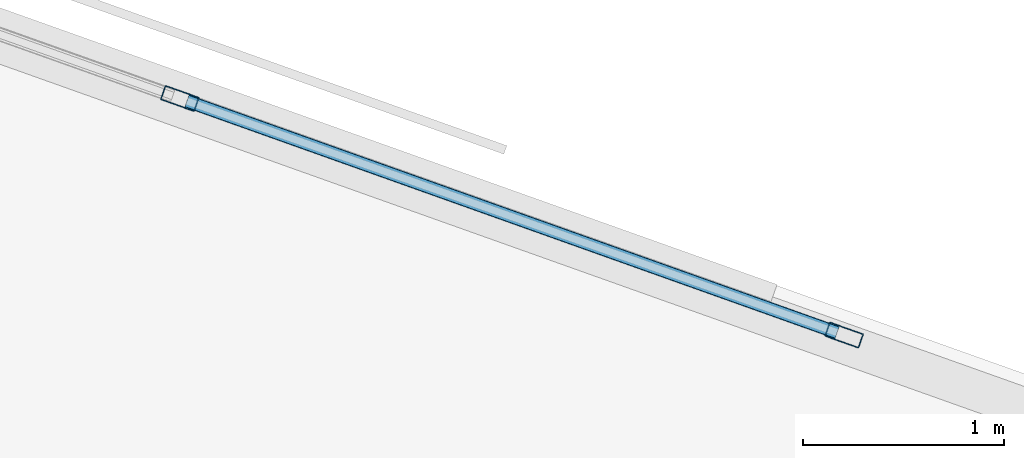
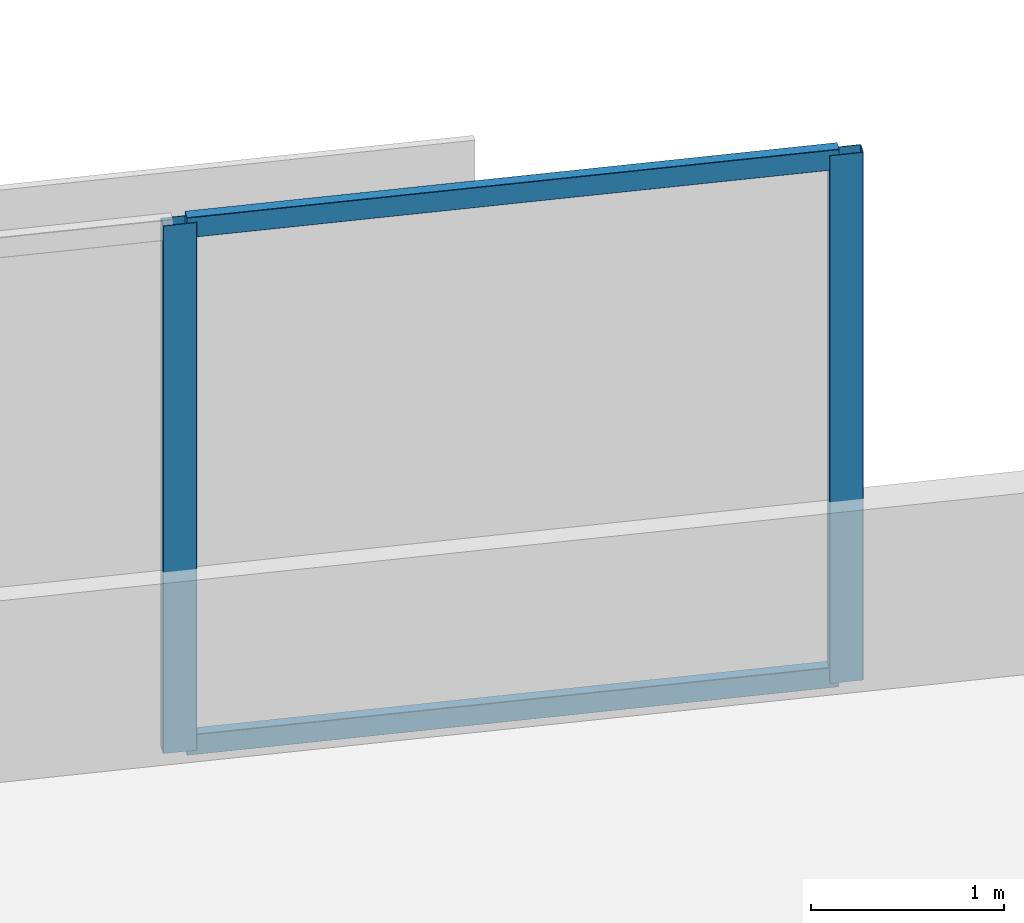
# One storey, part 2 of 16: 4 members, 1 element without a shape of its own.
"""IFC4 building model written with IfcOpenShell, lengths in metres."""

from ifc_helpers import new_model, si_unit, direction, frame, origin, origin_2d, place, context, subcontext, project, spatial, hollow_rectangle, extrude, material, material_profile, profile_set, type_object, element, aggregate, save


model = new_model("IFC4")

# Units and contexts
model_context = context("Model", 3, precision=1e-05, world=origin(), true_north=direction((0.0, 1.0)))
body_context = subcontext(model_context, "Body", "Model", "MODEL_VIEW")
ifc_project = project(units=[si_unit("LENGTHUNIT", "METRE"), si_unit("AREAUNIT", "SQUARE_METRE"), si_unit("VOLUMEUNIT", "CUBIC_METRE"), si_unit("PLANEANGLEUNIT", "RADIAN"), si_unit("MASSUNIT", "GRAM", prefix="KILO")], contexts=[model_context])

# Site, building, storey
site_placement = place(None, origin())
site = spatial("IfcSite", under=ifc_project, at=site_placement, CompositionType="ELEMENT")
building_placement = place(site_placement, origin())
building = spatial("IfcBuilding", under=site, at=building_placement, Name="Narakoshi Arena Tower", CompositionType="ELEMENT")
storey_placement = place(building_placement, frame((0.0, 0.0, 132.300048828125)))
storey = spatial("IfcBuildingStorey", under=building, at=storey_placement, Name="L35", CompositionType="ELEMENT", Elevation=132.300048828125)

# Curtain wall, members
ifc_material = material(Name="Anodised bronze aluminium 6063-T6", Category="aluminium")
curtain_wall_type = type_object("IfcCurtainWallType", Name="CW-HYP-MID", PredefinedType="NOTDEFINED", material=ifc_material)
curtain_wall_placement = place(storey_placement, origin())
curtain_wall = element("IfcCurtainWall", 1, at=curtain_wall_placement, inside=storey, type_object=curtain_wall_type, Name="L35 Folded Hypotenuse Curtain Wall 2-1", PredefinedType="NOTDEFINED")
ifc_material_profile_1 = material_profile(ifc_material, hollow_rectangle(XDim=0.074951171875, YDim=0.179931640625, WallThickness=0.00390625, OuterFilletRadius=0.0048828125, at=origin_2d()), Name="MUL180x75x4")
ifc_profile_set_1 = profile_set([ifc_material_profile_1], Name="Anodised bronze aluminium 6063-T6")
member_type_1 = type_object("IfcMemberType", Name="MEM-MUL-180", PredefinedType="MULLION", material=ifc_profile_set_1)
member_1_placement = place(storey_placement, frame((87.77978515625, 62.73876953125, 0.0), z_axis=(0.0, 0.0, 1.0), x_axis=(-0.335518297139, -0.94203368957, 0.0)))
member_1 = element("IfcMember", 2, at=member_1_placement, type_object=member_type_1, Name="CW-02 mullion 1", PredefinedType="MULLION", context=body_context, shape_type="SweptSolid", body=[
    extrude(hollow_rectangle(XDim=0.074951171875, YDim=0.179931640625, WallThickness=0.00390625, OuterFilletRadius=0.0048828125, at=origin_2d()), origin(), (0.0, 0.0, 1.0), 3.33984375),
])
member_2_placement = place(storey_placement, frame((84.470458984375, 63.917236328125, 0.0), z_axis=(0.0, 0.0, 1.0), x_axis=(-0.335518297139, -0.94203368957, 0.0)))
member_2 = element("IfcMember", 3, at=member_2_placement, type_object=member_type_1, Name="CW-02 mullion 2", PredefinedType="MULLION", context=body_context, shape_type="SweptSolid", body=[
    extrude(hollow_rectangle(XDim=0.074951171875, YDim=0.179931640625, WallThickness=0.00390625, OuterFilletRadius=0.0048828125, at=origin_2d()), origin(), (0.0, 0.0, 1.0), 3.33984375),
])
ifc_material_profile_2 = material_profile(ifc_material, hollow_rectangle(XDim=0.06494140625, YDim=0.1298828125, WallThickness=0.00390625, OuterFilletRadius=0.0048828125, at=origin_2d()), Name="TRN130x65x4")
ifc_profile_set_2 = profile_set([ifc_material_profile_2], Name="Anodised bronze aluminium 6063-T6")
member_type_2 = type_object("IfcMemberType", Name="MEM-TRN-130", PredefinedType="USERDEFINED", material=ifc_profile_set_2)
member_3_placement = place(storey_placement, frame((87.744384765625, 62.751220703125, 0.032470703125), z_axis=(-0.942022753127, 0.335549001773, 0.0), x_axis=(-0.335549001773, -0.942022753127, 0.0)))
member_3 = element("IfcMember", 4, at=member_3_placement, type_object=member_type_2, Name="CW-02 transom 1.1", ObjectType="TRANSOM", PredefinedType="USERDEFINED", context=body_context, shape_type="SweptSolid", body=[
    extrude(hollow_rectangle(XDim=0.06494140625, YDim=0.1298828125, WallThickness=0.00390625, OuterFilletRadius=0.0048828125, at=origin_2d()), origin(), (0.0, 0.0, 1.0), 3.437744140625),
])
member_4_placement = place(storey_placement, frame((87.744384765625, 62.751220703125, 3.307373046875), z_axis=(-0.942022753127, 0.335549001773, 0.0), x_axis=(-0.335549001773, -0.942022753127, 0.0)))
member_4 = element("IfcMember", 5, at=member_4_placement, type_object=member_type_2, Name="CW-02 transom 1.2", ObjectType="TRANSOM", PredefinedType="USERDEFINED", context=body_context, shape_type="SweptSolid", body=[
    extrude(hollow_rectangle(XDim=0.06494140625, YDim=0.1298828125, WallThickness=0.00390625, OuterFilletRadius=0.0048828125, at=origin_2d()), origin(), (0.0, 0.0, 1.0), 3.437744140625),
])
aggregate(curtain_wall, [member_1, member_2, member_3, member_4])

save(model, "model.ifc")
